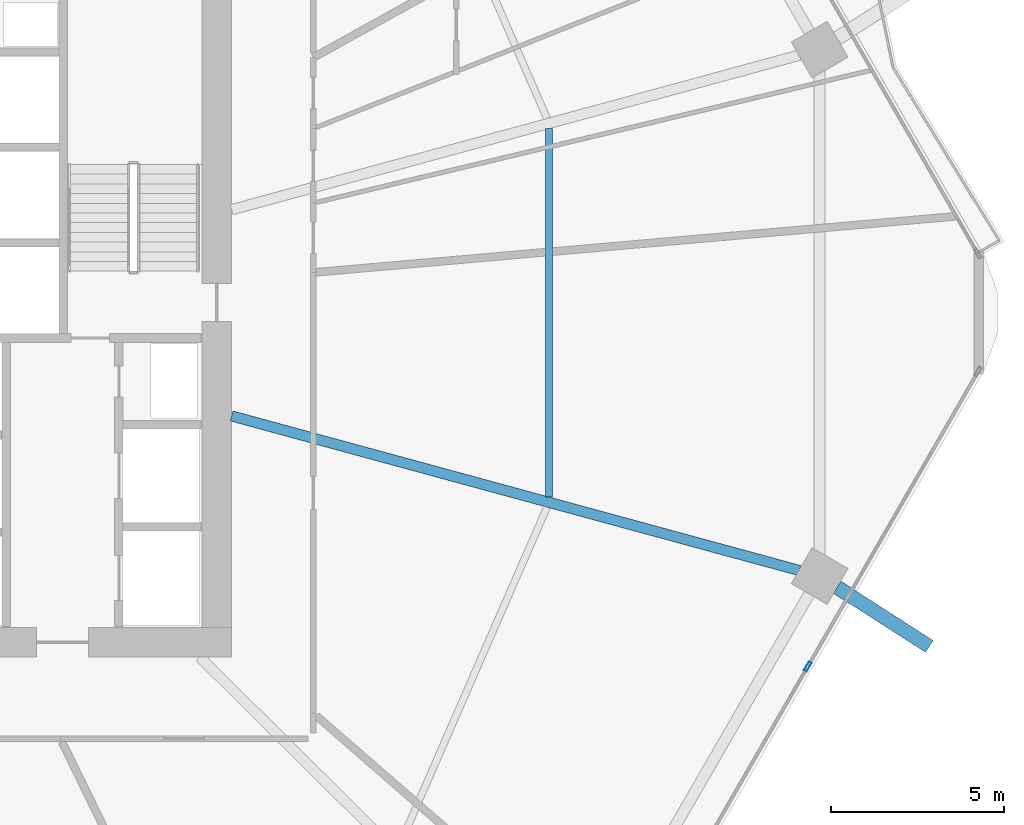
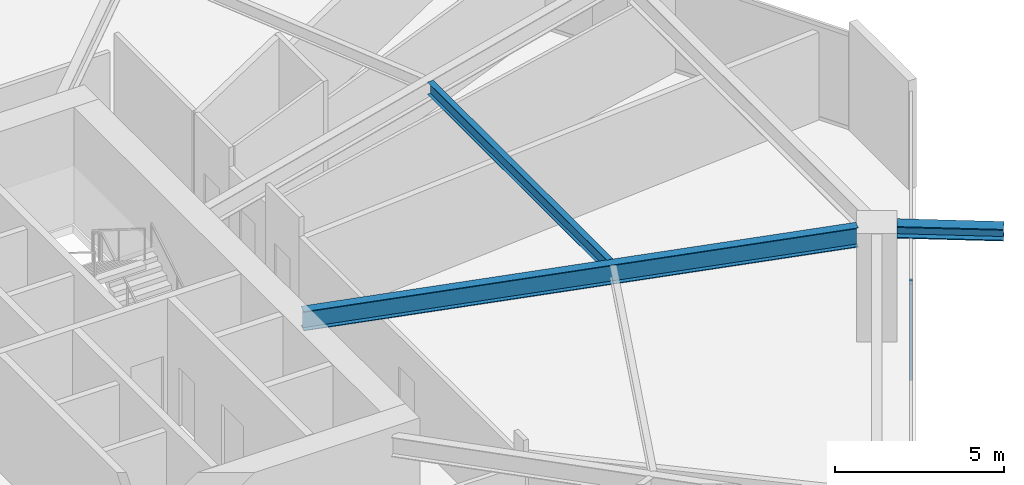
# One storey, part 11 of 27: 3 beams, 1 member, 1 element without a shape of its own.
"""IFC4 building model written with IfcOpenShell, lengths in metres."""

from ifc_helpers import new_model, si_unit, direction, frame, origin, origin_2d, place, context, subcontext, project, spatial, hollow_rectangle, i_section, extrude, material, material_profile, profile_set, type_object, element, aggregate, save


model = new_model("IFC4")

# Units and contexts
model_context = context("Model", 3, precision=1e-05, world=origin(), true_north=direction((0.0, 1.0)))
body_context = subcontext(model_context, "Body", "Model", "MODEL_VIEW")
ifc_project = project(units=[si_unit("LENGTHUNIT", "METRE"), si_unit("AREAUNIT", "SQUARE_METRE"), si_unit("VOLUMEUNIT", "CUBIC_METRE"), si_unit("PLANEANGLEUNIT", "RADIAN"), si_unit("MASSUNIT", "GRAM", prefix="KILO")], contexts=[model_context])

# Site, building, storey
site_placement = place(None, origin())
site = spatial("IfcSite", under=ifc_project, at=site_placement, CompositionType="ELEMENT")
building_placement = place(site_placement, origin())
building = spatial("IfcBuilding", under=site, at=building_placement, Name="Zuhravey Tower", CompositionType="ELEMENT")
storey_placement = place(building_placement, frame((0.0, 0.0, 12.0)))
storey = spatial("IfcBuildingStorey", under=building, at=storey_placement, Name="L03", CompositionType="ELEMENT", Elevation=12.0)

# Curtain wall, member
ifc_material_1 = material(Name="Thermally broken anodised aluminium", Category="aluminium")
curtain_wall_type = type_object("IfcCurtainWallType", Name="School Low-E Unitised Curtain Wall CW1", PredefinedType="NOTDEFINED", material=ifc_material_1)
curtain_wall_placement = place(storey_placement, origin())
curtain_wall = element("IfcCurtainWall", 1, at=curtain_wall_placement, inside=storey, type_object=curtain_wall_type, Name="L03 CW1 CW-L03-F6-1", PredefinedType="NOTDEFINED")
ifc_material_2 = material(Name="Anodised aluminium", Category="aluminium")
ifc_material_profile_1 = material_profile(ifc_material_2, hollow_rectangle(XDim=0.090087890625, YDim=0.284912109375, WallThickness=0.0048828125, at=origin_2d()), Name="ALU-RHS-90x285x5")
ifc_profile_set_1 = profile_set([ifc_material_profile_1], Name="Anodised aluminium")
member_type = type_object("IfcMemberType", Name="Curtain-Wall Mullion 90x180", PredefinedType="MULLION", material=ifc_profile_set_1)
member_placement = place(storey_placement, frame((63.54541015625, 21.79296875, 0.0), z_axis=(0.0, 0.0, 1.0), x_axis=(0.86602552265, -0.499999794119, 0.0)))
member = element("IfcMember", 2, at=member_placement, type_object=member_type, Name="CW1 mullion 2", PredefinedType="MULLION", context=body_context, shape_type="SweptSolid", body=[
    extrude(hollow_rectangle(XDim=0.090087890625, YDim=0.284912109375, WallThickness=0.0048828125, at=origin_2d()), origin(), (0.0, 0.0, 1.0), 3.491943359375),
])
aggregate(curtain_wall, [member])

# Beams
ifc_material_3 = material(Name="Steel SM460", Category="steel")
ifc_material_profile_2 = material_profile(ifc_material_3, i_section(OverallWidth=0.406982421875, OverallDepth=0.427978515625, WebThickness=0.02001953125, FlangeThickness=0.034912109375, at=origin_2d()), Name="H-428x407x20x35")
ifc_profile_set_2 = profile_set([ifc_material_profile_2], Name="Steel SM460")
beam_type_1 = type_object("IfcBeamType", Name="Exoskeleton Node Tie Beam H428x407", PredefinedType="BEAM", material=ifc_profile_set_2)
beam_1_placement = place(storey_placement, frame((64.39794921875, 24.08203125, 3.7060546875), z_axis=(0.841731244747, -0.539896760147, 0.0), x_axis=(0.539896760147, 0.841731244747, 0.0)))
element("IfcBeam", 3, at=beam_1_placement, inside=storey, type_object=beam_type_1, Name="L03 Exoskeleton Node Tie NT1-12", PredefinedType="BEAM", context=body_context, shape_type="SweptSolid", body=[
    extrude(i_section(OverallWidth=0.406982421875, OverallDepth=0.427978515625, WebThickness=0.02001953125, FlangeThickness=0.034912109375, at=origin_2d()), origin(), (0.0, 0.0, 1.0), 3.154541015625),
])
ifc_material_4 = material(Name="Steel SM355", Category="steel")
ifc_material_profile_3 = material_profile(ifc_material_4, i_section(OverallWidth=0.300048828125, OverallDepth=0.699951171875, WebThickness=0.012939453125, FlangeThickness=0.02392578125, at=origin_2d()), Name="H-700x300x13x24")
ifc_profile_set_3 = profile_set([ifc_material_profile_3], Name="Steel SM355")
beam_type_2 = type_object("IfcBeamType", Name="Radial Primary Girder H700x300", PredefinedType="BEAM", material=ifc_profile_set_3)
beam_2_placement = place(storey_placement, frame((46.927978515625, 29.025390625, 3.570068359375), z_axis=(0.964892480455, -0.26264520015, 0.0), x_axis=(0.26264520015, 0.964892480455, 0.0)))
element("IfcBeam", 4, at=beam_2_placement, inside=storey, type_object=beam_type_2, Name="L03 RG1 BM-L03-RAD-12", PredefinedType="BEAM", context=body_context, shape_type="SweptSolid", body=[
    extrude(i_section(OverallWidth=0.300048828125, OverallDepth=0.699951171875, WebThickness=0.012939453125, FlangeThickness=0.02392578125, at=origin_2d()), origin(), (0.0, 0.0, 1.0), 16.975341796875),
])
ifc_material_profile_4 = material_profile(ifc_material_4, i_section(OverallWidth=0.199951171875, OverallDepth=0.449951171875, WebThickness=0.009033203125, FlangeThickness=0.013916015625, at=origin_2d()), Name="H-450x200x9x14")
ifc_profile_set_4 = profile_set([ifc_material_profile_4], Name="Steel SM355")
beam_type_3 = type_object("IfcBeamType", Name="Secondary Floor Joist H450x200", PredefinedType="JOIST", material=ifc_profile_set_4)
beam_3_placement = place(storey_placement, frame((56.0869140625, 26.686279296875, 3.695068359375), z_axis=(0.0, 1.0, 0.0), x_axis=(-1.0, 0.0, 0.0)))
element("IfcBeam", 5, at=beam_3_placement, inside=storey, type_object=beam_type_3, Name="L03 SJ1 BM-L03-SJ-12-1", PredefinedType="JOIST", context=body_context, shape_type="SweptSolid", body=[
    extrude(i_section(OverallWidth=0.199951171875, OverallDepth=0.449951171875, WebThickness=0.009033203125, FlangeThickness=0.013916015625, at=origin_2d()), origin(), (0.0, 0.0, 1.0), 10.62744140625),
])

save(model, "model.ifc")
